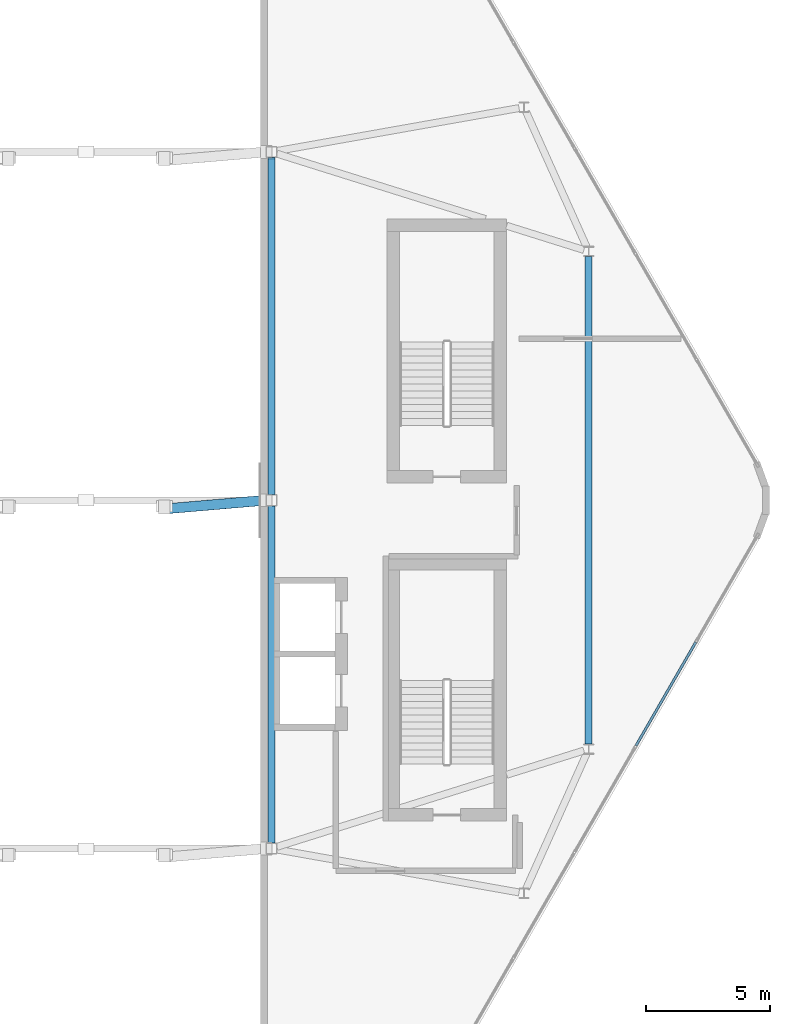
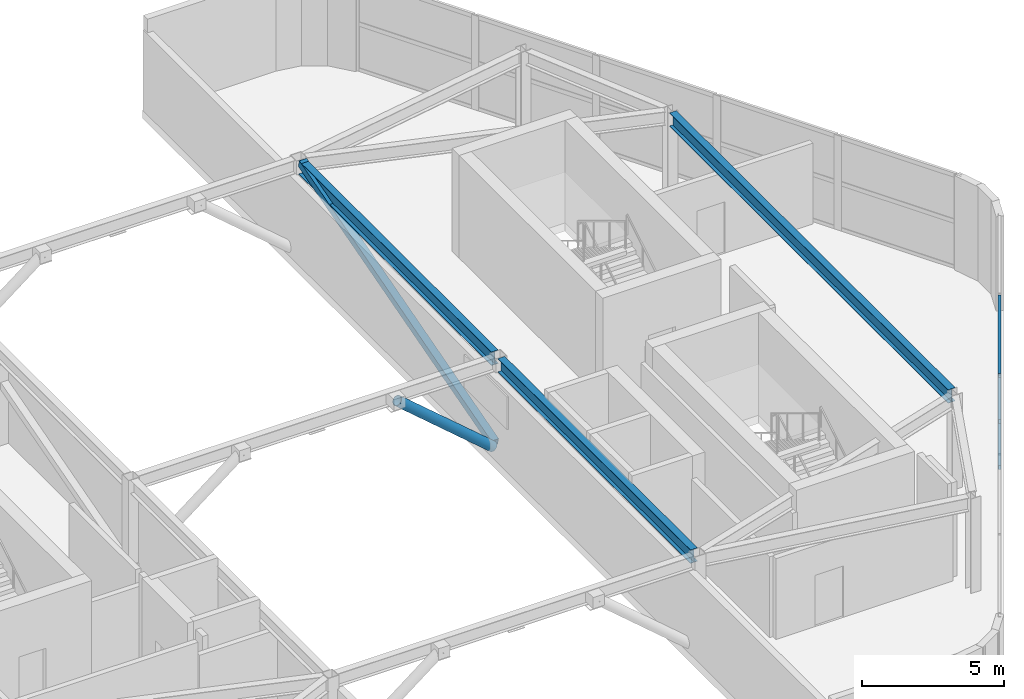
# One storey, part 8 of 16: 5 members, 3 beams, 1 element without a shape of its own.
"""IFC4 building model written with IfcOpenShell, lengths in metres."""

import ifcopenshell
import ifcopenshell.guid

model = None  # the IFC model being written
_history = None  # IfcOwnerHistory: only IFC2X3 demands one
_inside = {}  # id of a spatial element -> (the spatial element, [elements in it])
_under = {}  # id of a project, library or spatial element -> (it, [spatial elements below it])
_declared = {}  # id of a project -> (the project, [libraries it declares])
_typed = {}  # id of a type object -> (the type object, [elements of that type])
_made_of = {}  # id of a material, layer set ... -> (it, [elements and type objects made of it])


def new_model(schema):
    """Start an empty IFC model of exactly this schema.

    Asked for "IFC4X3", IfcOpenShell would pick the latest addendum, in which some entities
    have other attributes; the version numbers below select the first issue.
    IFC2X3 requires an IfcOwnerHistory on every rooted entity: one is made here for all.
    """
    global model, _history
    if schema == "IFC4X3":
        model = ifcopenshell.file(schema_version=(4, 3, 0, 0))
    else:
        model = ifcopenshell.file(schema=schema)
    _inside.clear()
    _under.clear()
    _declared.clear()
    _typed.clear()
    _made_of.clear()
    _history = None
    if model.schema == "IFC2X3":
        org = make("IfcOrganization", Name="unknown")
        user = make(
            "IfcPersonAndOrganization",
            ThePerson=make("IfcPerson", FamilyName="unknown"),
            TheOrganization=org,
        )
        app = make(
            "IfcApplication",
            ApplicationDeveloper=org,
            Version="unknown",
            ApplicationFullName="unknown",
            ApplicationIdentifier="unknown",
        )
        _history = make(
            "IfcOwnerHistory",
            OwningUser=user,
            OwningApplication=app,
            ChangeAction="ADDED",
            CreationDate=0,
        )
    return model


def make(cls, **values):
    """One entity of the class cls with the attributes given. An attribute that is None is left unset."""
    return model.create_entity(
        cls, **{name: value for name, value in values.items() if value is not None}
    )


def rooted(cls, **values):
    """An entity with a GlobalId (a new one), such as an element, a storey or a relation."""
    return make(cls, GlobalId=ifcopenshell.guid.new(), OwnerHistory=_history, **values)


def si_unit(unit_type, name, prefix=None):
    """IfcSIUnit, for example si_unit("LENGTHUNIT", "METRE", prefix="MILLI")."""
    return make("IfcSIUnit", UnitType=unit_type, Prefix=prefix, Name=name)


def assignment(units):
    """IfcUnitAssignment: the units of a project."""
    return None if units is None else make("IfcUnitAssignment", Units=units)


def point(xyz):
    """IfcCartesianPoint."""
    return None if xyz is None else make("IfcCartesianPoint", Coordinates=xyz)


def direction(xyz):
    """IfcDirection."""
    return None if xyz is None else make("IfcDirection", DirectionRatios=xyz)


def frame(location, z_axis=None, x_axis=None):
    """IfcAxis2Placement3D, a coordinate frame: its origin and axes. An axis left out is left unset."""
    return make(
        "IfcAxis2Placement3D",
        Location=point(location),
        Axis=direction(z_axis),
        RefDirection=direction(x_axis),
    )


def frame_2d(location, x_axis=None):
    """IfcAxis2Placement2D, a coordinate frame in the plane: its origin and x axis."""
    return make(
        "IfcAxis2Placement2D", Location=point(location), RefDirection=direction(x_axis)
    )


def origin():
    """The frame at (0, 0, 0) with its axes left unset."""
    return frame((0.0, 0.0, 0.0))


def origin_2d():
    """The frame at (0, 0) in the plane with its x axis left unset."""
    return frame_2d((0.0, 0.0))


def place(relative_to, where):
    """IfcLocalPlacement: puts the frame where relative to a parent placement (None: the world)."""
    return make(
        "IfcLocalPlacement", PlacementRelTo=relative_to, RelativePlacement=where
    )


def context(
    kind, dimensions, precision=None, world=None, true_north=None, identifier=None
):
    """IfcGeometricRepresentationContext, for example the 3D "Model" context."""
    return make(
        "IfcGeometricRepresentationContext",
        ContextIdentifier=identifier,
        ContextType=kind,
        CoordinateSpaceDimension=dimensions,
        Precision=precision,
        WorldCoordinateSystem=world,
        TrueNorth=true_north,
    )


def subcontext(parent, identifier, kind, view, scale=None):
    """IfcGeometricRepresentationSubContext, for example "Body" below "Model"."""
    return make(
        "IfcGeometricRepresentationSubContext",
        ContextIdentifier=identifier,
        ContextType=kind,
        ParentContext=parent,
        TargetScale=scale,
        TargetView=view,
    )


def project(units=None, contexts=None):
    """IfcProject with its units and contexts."""
    return rooted(
        "IfcProject",
        Name="project",
        RepresentationContexts=contexts,
        UnitsInContext=assignment(units),
    )


def spatial(cls, under=None, at=None, **own):
    """A site, building, storey or space (cls), placed at a placement, below another one or the project."""
    s = rooted(cls, ObjectPlacement=at, **own)
    if under is not None:
        _under.setdefault(under.id(), (under, []))[1].append(s)
    return s


def profile(cls, at=None, kind="AREA", **sizes):
    """A parametric profile (cls). Its sizes go by their IFC names, for example OverallWidth=200.0."""
    return make(cls, ProfileType=kind, Position=at, **sizes)


def hollow_rectangle(**sizes):
    """IfcRectangleHollowProfileDef."""
    return profile("IfcRectangleHollowProfileDef", **sizes)


def hollow_circle(**sizes):
    """IfcCircleHollowProfileDef."""
    return profile("IfcCircleHollowProfileDef", **sizes)


def i_section(**sizes):
    """IfcIShapeProfileDef."""
    return profile("IfcIShapeProfileDef", **sizes)


def extrude(swept, where, along, depth):
    """IfcExtrudedAreaSolid: the profile swept, set in the frame where, extruded along a direction by depth."""
    return make(
        "IfcExtrudedAreaSolid",
        SweptArea=swept,
        Position=where,
        ExtrudedDirection=direction(along),
        Depth=depth,
    )


def shape(context_of_items, identifier, shape_type, items):
    """IfcShapeRepresentation: the items that make up one representation, for example the "Body"."""
    return make(
        "IfcShapeRepresentation",
        ContextOfItems=context_of_items,
        RepresentationIdentifier=identifier,
        RepresentationType=shape_type,
        Items=items,
    )


def material(Name=None, Category=None):
    """IfcMaterial."""
    return make("IfcMaterial", Name=Name, Category=Category)


def material_profile(
    of_material, cross_section, Name=None, Category=None, Priority=None
):
    """IfcMaterialProfile: a cross section and its material."""
    return make(
        "IfcMaterialProfile",
        Name=Name,
        Material=of_material,
        Profile=cross_section,
        Priority=Priority,
        Category=Category,
    )


def profile_set(profiles, Name=None, composite=None):
    """IfcMaterialProfileSet."""
    return make(
        "IfcMaterialProfileSet",
        Name=Name,
        MaterialProfiles=profiles,
        CompositeProfile=composite,
    )


def made_of(thing, what):
    """Note that an element or type object is made of a material, layer set ...; save() writes the relation."""
    if what is not None:
        _made_of.setdefault(what.id(), (what, []))[1].append(thing)
    return thing


def type_object(cls, material=None, **own):
    """A type object (cls), such as IfcWallType, which elements share."""
    return made_of(rooted(cls, **own), material)


def element(
    cls,
    number,
    at=None,
    inside=None,
    cuts=None,
    type_object=None,
    material=None,
    context=None,
    identifier="Body",
    shape_type=None,
    held_by="IfcProductDefinitionShape",
    body=None,
    shapes=None,
    **own,
):
    """One element of the class cls, such as IfcWall. Its Tag is "e" and its number.

    at: its placement. inside: the storey or other place that contains it. cuts: it is an
    opening in that element (IfcRelVoidsElement). A single representation is given by context,
    identifier, shape_type and body (its items); several are given by shapes. held_by: the class
    of the entity that holds the representations. save() writes the other relations.
    """
    e = rooted(cls, Tag="e%d" % number, ObjectPlacement=at, **own)
    if body is not None:
        shapes = [shape(context, identifier, shape_type, body)]
    if shapes is not None:
        e.Representation = make(held_by, Representations=shapes)
    if inside is not None:
        _inside.setdefault(inside.id(), (inside, []))[1].append(e)
    if cuts is not None:
        rooted(
            "IfcRelVoidsElement", RelatingBuildingElement=cuts, RelatedOpeningElement=e
        )
    if type_object is not None:
        _typed.setdefault(type_object.id(), (type_object, []))[1].append(e)
    return made_of(e, material)


def aggregate(whole, parts):
    """IfcRelAggregates: a whole, such as a stair, and the parts it consists of."""
    return rooted("IfcRelAggregates", RelatingObject=whole, RelatedObjects=parts)


def save(model, path):
    """Write the relations noted so far, then the file.

    IfcRelAggregates (storeys below a building ...), IfcRelContainedInSpatialStructure (elements
    in a storey), IfcRelDefinesByType, IfcRelAssociatesMaterial and IfcRelDeclares: one each for
    every whole, place, type object, material and project.
    """
    for whole, parts in _under.values():
        aggregate(whole, parts)
    for where, things in _inside.values():
        rooted(
            "IfcRelContainedInSpatialStructure",
            RelatedElements=things,
            RelatingStructure=where,
        )
    for kind, things in _typed.values():
        rooted("IfcRelDefinesByType", RelatedObjects=things, RelatingType=kind)
    for what, things in _made_of.values():
        rooted("IfcRelAssociatesMaterial", RelatedObjects=things, RelatingMaterial=what)
    for by, libraries in _declared.values():
        rooted("IfcRelDeclares", RelatingContext=by, RelatedDefinitions=libraries)
    model.write(path)


model = new_model("IFC4")

# Units and contexts
model_context = context("Model", 3, precision=1e-05, world=origin(), true_north=direction((0.0, 1.0)))
body_context = subcontext(model_context, "Body", "Model", "MODEL_VIEW")
ifc_project = project(units=[si_unit("LENGTHUNIT", "METRE"), si_unit("AREAUNIT", "SQUARE_METRE"), si_unit("VOLUMEUNIT", "CUBIC_METRE"), si_unit("PLANEANGLEUNIT", "RADIAN"), si_unit("MASSUNIT", "GRAM", prefix="KILO")], contexts=[model_context])

# Site, building, storey
site_placement = place(None, origin())
site = spatial("IfcSite", under=ifc_project, at=site_placement, CompositionType="ELEMENT")
building_placement = place(site_placement, origin())
building = spatial("IfcBuilding", under=site, at=building_placement, Name="Zuhravey Tower", CompositionType="ELEMENT")
storey_placement = place(building_placement, frame((0.0, 0.0, 370.199951171875)))
storey = spatial("IfcBuildingStorey", under=building, at=storey_placement, Name="L94", CompositionType="ELEMENT", Elevation=370.199951171875)

# Member
ifc_material_1 = material(Name="Steel SM355", Category="steel")
ifc_material_profile_1 = material_profile(ifc_material_1, hollow_rectangle(XDim=0.300048828125, YDim=0.300048828125, WallThickness=0.01611328125, at=origin_2d()), Name="RHS-300x300x16")
ifc_profile_set_1 = profile_set([ifc_material_profile_1], Name="Steel SM355")
member_type_1 = type_object("IfcMemberType", Name="Crown Frame Strut RHS300x300", PredefinedType="STRUT", material=ifc_profile_set_1)
member_1_placement = place(storey_placement, frame((43.449951171875, 32.249267578125, 0.10546875), z_axis=(0.0, 0.961870384353, 0.273505692271), x_axis=(-1.0, 0.0, 0.0)))
element("IfcMember", 1, at=member_1_placement, inside=storey, type_object=member_type_1, Name="L94 East Crest Portal Frame Strut CFS1", PredefinedType="STRUT", context=body_context, shape_type="SweptSolid", body=[
    extrude(hollow_rectangle(XDim=0.300048828125, YDim=0.300048828125, WallThickness=0.01611328125, at=origin_2d()), origin(), (0.0, 0.0, 1.0), 14.03662109375),
])

# Beams
ifc_material_profile_2 = material_profile(ifc_material_1, i_section(OverallWidth=0.280029296875, OverallDepth=0.580078125, WebThickness=0.011962890625, FlangeThickness=0.01904296875, at=origin_2d()), Name="H-580x280x12x19")
ifc_profile_set_2 = profile_set([ifc_material_profile_2], Name="Steel SM355")
beam_type = type_object("IfcBeamType", Name="Perimeter Ring Beam H580x280", PredefinedType="BEAM", material=ifc_profile_set_2)
beam_placement = place(storey_placement, frame((56.199951171875, 22.2041015625, 3.760009765625), z_axis=(0.0, 1.0, 0.0), x_axis=(-1.0, 0.0, 0.0)))
element("IfcBeam", 2, at=beam_placement, inside=storey, type_object=beam_type, Name="L94 PB4 BM-L94-ECR-0-1", PredefinedType="BEAM", context=body_context, shape_type="SweptSolid", body=[
    extrude(i_section(OverallWidth=0.280029296875, OverallDepth=0.580078125, WebThickness=0.011962890625, FlangeThickness=0.01904296875, at=origin_2d()), origin(), (0.0, 0.0, 1.0), 19.591796875),
])
for number, where, z_axis, x_axis, name in (
    (3, (43.449951171875, 18.22900390625, 3.760009765625), (0.0, 1.0, 0.0), (-1.0, 0.0, 0.0), "L94 PB4 BM-L94-ECR-4-5"),
    (4, (43.449951171875, 32.22900390625, 3.760009765625), (0.0, 1.0, 0.0), (-1.0, 0.0, 0.0), "L94 PB4 BM-L94-ECR-5-6"),
):
    element("IfcBeam", number, at=place(storey_placement, frame(where, z_axis=z_axis, x_axis=x_axis)), inside=storey, type_object=beam_type, Name=name, PredefinedType="BEAM", context=body_context, shape_type="SweptSolid", body=[
        extrude(i_section(OverallWidth=0.280029296875, OverallDepth=0.580078125, WebThickness=0.011962890625, FlangeThickness=0.01904296875, at=origin_2d()), origin(), (0.0, 0.0, 1.0), 13.5419921875),
    ])

# Curtain wall, members
ifc_material_2 = material(Name="Thermally broken anodised aluminium", Category="aluminium")
curtain_wall_type = type_object("IfcCurtainWallType", Name="Split-Top Crown Screened Curtain Wall CW6", PredefinedType="NOTDEFINED", material=ifc_material_2)
curtain_wall_placement = place(storey_placement, origin())
curtain_wall = element("IfcCurtainWall", 5, at=curtain_wall_placement, inside=storey, type_object=curtain_wall_type, Name="L94 CW6 CW6-L94-EAST-08", PredefinedType="NOTDEFINED")
ifc_material_3 = material(Name="Anodised aluminium", Category="aluminium")
ifc_material_profile_3 = material_profile(ifc_material_3, hollow_rectangle(XDim=0.10009765625, YDim=0.179931640625, WallThickness=0.006103515625, at=origin_2d()), Name="ALU-RHS-100x180x6")
ifc_profile_set_3 = profile_set([ifc_material_profile_3], Name="Anodised aluminium")
member_type_2 = type_object("IfcMemberType", Name="Tall-Storey Transom 100x180", PredefinedType="USERDEFINED", material=ifc_profile_set_3)
member_2_placement = place(storey_placement, frame((60.503173828125, 26.29248046875, 0.050048828125), z_axis=(-0.50003466983, -0.866005386223, 0.0), x_axis=(0.866005386223, -0.50003466983, 0.0)))
member_2 = element("IfcMember", 6, at=member_2_placement, type_object=member_type_2, Name="CW6 transom 2.1", ObjectType="TRANSOM", PredefinedType="USERDEFINED", context=body_context, shape_type="SweptSolid", body=[
    extrude(hollow_rectangle(XDim=0.10009765625, YDim=0.179931640625, WallThickness=0.006103515625, at=origin_2d()), origin(), (0.0, 0.0, 1.0), 4.805908203125),
])
member_3_placement = place(storey_placement, frame((60.503173828125, 26.29248046875, 2.025146484375), z_axis=(-0.50003466983, -0.866005386223, 0.0), x_axis=(0.866005386223, -0.50003466983, 0.0)))
member_3 = element("IfcMember", 7, at=member_3_placement, type_object=member_type_2, Name="CW6 transom 2.2", ObjectType="TRANSOM", PredefinedType="USERDEFINED", context=body_context, shape_type="SweptSolid", body=[
    extrude(hollow_rectangle(XDim=0.10009765625, YDim=0.179931640625, WallThickness=0.006103515625, at=origin_2d()), origin(), (0.0, 0.0, 1.0), 4.805908203125),
])
member_4_placement = place(storey_placement, frame((60.503173828125, 26.29248046875, 4.0), z_axis=(-0.50003466983, -0.866005386223, 0.0), x_axis=(0.866005386223, -0.50003466983, 0.0)))
member_4 = element("IfcMember", 8, at=member_4_placement, type_object=member_type_2, Name="CW6 transom 2.3", ObjectType="TRANSOM", PredefinedType="USERDEFINED", context=body_context, shape_type="SweptSolid", body=[
    extrude(hollow_rectangle(XDim=0.10009765625, YDim=0.179931640625, WallThickness=0.006103515625, at=origin_2d()), origin(), (0.0, 0.0, 1.0), 4.805908203125),
])
aggregate(curtain_wall, [member_2, member_3, member_4])

# Member
ifc_material_profile_4 = material_profile(ifc_material_1, hollow_circle(Radius=0.203125, WallThickness=0.02001953125, at=origin_2d()), Name="CHS-406.4x20")
ifc_profile_set_4 = profile_set([ifc_material_profile_4], Name="Steel SM355")
member_type_3 = type_object("IfcMemberType", Name="Wind-Portal Arch Brace CHS406x20", PredefinedType="BRACE", material=ifc_profile_set_4)
member_5_placement = place(storey_placement, frame((43.219482421875, 31.999755859375, 0.181396484375), z_axis=(-0.747122272379, -0.063852005514, 0.661612599265), x_axis=(0.085153511528, -0.996367843457, 0.0)))
element("IfcMember", 9, at=member_5_placement, inside=storey, type_object=member_type_3, Name="L94 Wind-Portal Arch Brace WPB1-2E", PredefinedType="BRACE", context=body_context, shape_type="SweptSolid", body=[
    extrude(hollow_circle(Radius=0.203125, WallThickness=0.02001953125, at=origin_2d()), origin(), (0.0, 0.0, 1.0), 5.44482421875),
])

save(model, "model.ifc")
